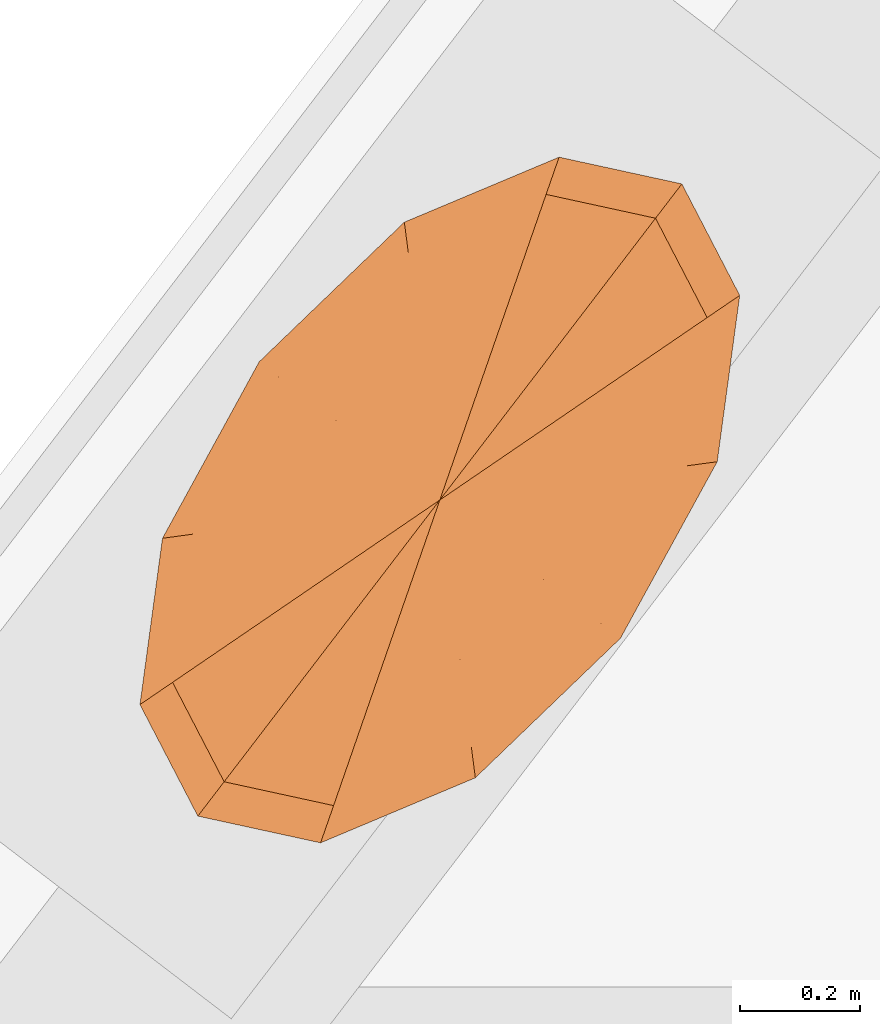
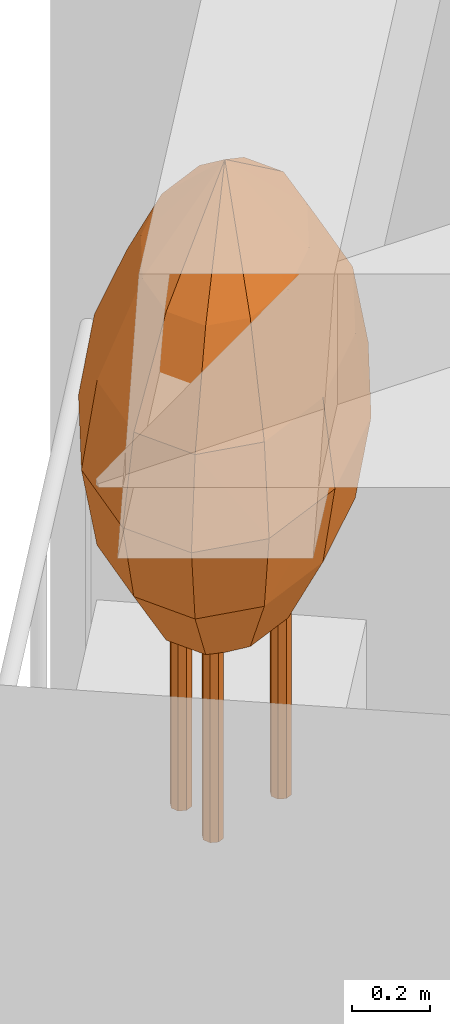
# One storey, part 11 of 11: 1 geographic element.
"""IFC4 building model written with IfcOpenShell, lengths in metres."""

from ifc_helpers import new_model, si_unit, direction, frame, origin, place, context, subcontext, project, spatial, faceted_brep, material, constituent, constituent_set, type_object, element, save


model = new_model("IFC4")

# Units and contexts
model_context = context("Model", 3, precision=1e-05, world=origin(), true_north=direction((0.0, 1.0)))
body_context = subcontext(model_context, "Body", "Model", "MODEL_VIEW")
ifc_project = project(units=[si_unit("LENGTHUNIT", "METRE"), si_unit("AREAUNIT", "SQUARE_METRE"), si_unit("VOLUMEUNIT", "CUBIC_METRE"), si_unit("PLANEANGLEUNIT", "RADIAN"), si_unit("MASSUNIT", "GRAM", prefix="KILO")], contexts=[model_context])

# Site, building, storey
site_placement = place(None, origin())
site = spatial("IfcSite", under=ifc_project, at=site_placement, CompositionType="ELEMENT")
building_placement = place(site_placement, origin())
building = spatial("IfcBuilding", under=site, at=building_placement, Name="Taillehof Tower", CompositionType="ELEMENT")
storey_placement = place(building_placement, frame((0.0, 0.0, 158.300048828125)))
storey = spatial("IfcBuildingStorey", under=building, at=storey_placement, Name="L44", CompositionType="ELEMENT", Elevation=158.300048828125)

# Geographic element
ifc_material_1 = material(Name="Tree bark", Category="timber")
ifc_constituent_1 = constituent(ifc_material_1, Name="Trunk", Category="timber")
ifc_material_2 = material(Name="Tree foliage")
ifc_constituent_2 = constituent(ifc_material_2, Name="Crown")
ifc_constituent_set = constituent_set(constituents=[ifc_constituent_1, ifc_constituent_2], Name="Tree TR3 Multi-stem serviceberry")
geographic_element_type = type_object("IfcGeographicElementType", Name="Tree TR3 Multi-stem serviceberry", PredefinedType="USERDEFINED", material=ifc_constituent_set)
geographic_element_placement = place(storey_placement, frame((-19.1455078125, 12.438720703125, 0.75)))
element("IfcGeographicElement", 1, at=geographic_element_placement, inside=storey, type_object=geographic_element_type, Name="Tree TR3 Multi-stem serviceberry", ObjectType="TREE", PredefinedType="USERDEFINED", context=body_context, shape_type="Brep", body=[
    faceted_brep([(0.195068359375, 0.0, 0.0), (0.186767578125, 0.0205078125, 0.0), (0.186767578125, 0.0205078125, 1.04248046875), (0.195068359375, 0.0, 1.04248046875), (0.166259765625, 0.02880859375, 0.0), (0.166259765625, 0.02880859375, 1.04248046875), (0.145751953125, 0.0205078125, 0.0), (0.145751953125, 0.0205078125, 1.04248046875), (0.137451171875, 0.0, 0.0), (0.137451171875, 0.0, 1.04248046875), (0.145751953125, -0.0205078125, 0.0), (0.145751953125, -0.0205078125, 1.04248046875), (0.166259765625, -0.02880859375, 0.0), (0.166259765625, -0.02880859375, 1.04248046875), (0.186767578125, -0.0205078125, 0.0), (0.186767578125, -0.0205078125, 1.04248046875)], [[[0, 1, 2, 3]], [[1, 4, 5, 2]], [[4, 6, 7, 5]], [[6, 8, 9, 7]], [[8, 10, 11, 9]], [[10, 12, 13, 11]], [[12, 14, 15, 13]], [[14, 0, 3, 15]], [[14, 12, 10, 8, 6, 4, 1, 0]], [[3, 2, 5, 7, 9, 11, 13, 15]]]),
    faceted_brep([(-0.05419921875, 0.082275390625, 0.0), (-0.062744140625, 0.102783203125, 0.0), (-0.062744140625, 0.102783203125, 1.04248046875), (-0.05419921875, 0.082275390625, 1.04248046875), (-0.0830078125, 0.111083984375, 0.0), (-0.0830078125, 0.111083984375, 1.04248046875), (-0.103515625, 0.102783203125, 0.0), (-0.103515625, 0.102783203125, 1.04248046875), (-0.112060546875, 0.082275390625, 0.0), (-0.112060546875, 0.082275390625, 1.04248046875), (-0.103515625, 0.061767578125, 0.0), (-0.103515625, 0.061767578125, 1.04248046875), (-0.0830078125, 0.053466796875, 0.0), (-0.0830078125, 0.053466796875, 1.04248046875), (-0.062744140625, 0.061767578125, 0.0), (-0.062744140625, 0.061767578125, 1.04248046875)], [[[0, 1, 2, 3]], [[1, 4, 5, 2]], [[4, 6, 7, 5]], [[6, 8, 9, 7]], [[8, 10, 11, 9]], [[10, 12, 13, 11]], [[12, 14, 15, 13]], [[14, 0, 3, 15]], [[14, 12, 10, 8, 6, 4, 1, 0]], [[3, 2, 5, 7, 9, 11, 13, 15]]]),
    faceted_brep([(-0.05419921875, -0.082275390625, 0.0), (-0.062744140625, -0.061767578125, 0.0), (-0.062744140625, -0.061767578125, 1.04248046875), (-0.05419921875, -0.082275390625, 1.04248046875), (-0.0830078125, -0.053466796875, 0.0), (-0.0830078125, -0.053466796875, 1.04248046875), (-0.103515625, -0.061767578125, 0.0), (-0.103515625, -0.061767578125, 1.04248046875), (-0.112060546875, -0.082275390625, 0.0), (-0.112060546875, -0.082275390625, 1.04248046875), (-0.103515625, -0.102783203125, 0.0), (-0.103515625, -0.102783203125, 1.04248046875), (-0.0830078125, -0.111083984375, 0.0), (-0.0830078125, -0.111083984375, 1.04248046875), (-0.062744140625, -0.102783203125, 0.0), (-0.062744140625, -0.102783203125, 1.04248046875)], [[[0, 1, 2, 3]], [[1, 4, 5, 2]], [[4, 6, 7, 5]], [[6, 8, 9, 7]], [[8, 10, 11, 9]], [[10, 12, 13, 11]], [[12, 14, 15, 13]], [[14, 0, 3, 15]], [[14, 12, 10, 8, 6, 4, 1, 0]], [[3, 2, 5, 7, 9, 11, 13, 15]]]),
    faceted_brep([(0.0, 0.0, 0.5), (-0.114501953125, -0.3291015625, 0.75830078125), (-0.232177734375, -0.30322265625, 0.75830078125), (0.033935546875, -0.2666015625, 0.75830078125), (0.17333984375, -0.132568359375, 0.75830078125), (0.26611328125, 0.036865234375, 0.75830078125), (0.28759765625, 0.1962890625, 0.75830078125), (0.232177734375, 0.30322265625, 0.75830078125), (0.114501953125, 0.3291015625, 0.75830078125), (-0.033935546875, 0.2666015625, 0.75830078125), (-0.17333984375, 0.132568359375, 0.75830078125), (-0.26611328125, -0.036865234375, 0.75830078125), (-0.28759765625, -0.1962890625, 0.75830078125), (-0.177490234375, -0.510498046875, 1.0166015625), (-0.3603515625, -0.470703125, 1.0166015625), (0.052734375, -0.41357421875, 1.0166015625), (0.26904296875, -0.205810546875, 1.0166015625), (0.4130859375, 0.05712890625, 1.0166015625), (0.446533203125, 0.3046875, 1.0166015625), (0.3603515625, 0.470703125, 1.0166015625), (0.177490234375, 0.510498046875, 1.0166015625), (-0.052734375, 0.41357421875, 1.0166015625), (-0.26904296875, 0.205810546875, 1.0166015625), (-0.4130859375, -0.05712890625, 1.0166015625), (-0.446533203125, -0.3046875, 1.0166015625), (-0.19921875, -0.57275390625, 1.27490234375), (-0.404296875, -0.528076171875, 1.27490234375), (0.059326171875, -0.464111328125, 1.27490234375), (0.3017578125, -0.23095703125, 1.27490234375), (0.46337890625, 0.06396484375, 1.27490234375), (0.5009765625, 0.341796875, 1.27490234375), (0.404296875, 0.528076171875, 1.27490234375), (0.19921875, 0.57275390625, 1.27490234375), (-0.059326171875, 0.464111328125, 1.27490234375), (-0.3017578125, 0.23095703125, 1.27490234375), (-0.46337890625, -0.06396484375, 1.27490234375), (-0.5009765625, -0.341796875, 1.27490234375), (-0.177490234375, -0.510498046875, 1.533447265625), (-0.3603515625, -0.470703125, 1.533447265625), (0.052734375, -0.41357421875, 1.533447265625), (0.26904296875, -0.205810546875, 1.533447265625), (0.4130859375, 0.05712890625, 1.533447265625), (0.446533203125, 0.3046875, 1.533447265625), (0.3603515625, 0.470703125, 1.533447265625), (0.177490234375, 0.510498046875, 1.533447265625), (-0.052734375, 0.41357421875, 1.533447265625), (-0.26904296875, 0.205810546875, 1.533447265625), (-0.4130859375, -0.05712890625, 1.533447265625), (-0.446533203125, -0.3046875, 1.533447265625), (-0.114501953125, -0.3291015625, 1.791748046875), (-0.232177734375, -0.30322265625, 1.791748046875), (0.033935546875, -0.2666015625, 1.791748046875), (0.17333984375, -0.132568359375, 1.791748046875), (0.26611328125, 0.036865234375, 1.791748046875), (0.28759765625, 0.1962890625, 1.791748046875), (0.232177734375, 0.30322265625, 1.791748046875), (0.114501953125, 0.3291015625, 1.791748046875), (-0.033935546875, 0.2666015625, 1.791748046875), (-0.17333984375, 0.132568359375, 1.791748046875), (-0.26611328125, -0.036865234375, 1.791748046875), (-0.28759765625, -0.1962890625, 1.791748046875), (0.0, 0.0, 2.050048828125)], [[[0, 1, 2]], [[0, 3, 1]], [[0, 4, 3]], [[0, 5, 4]], [[0, 6, 5]], [[0, 7, 6]], [[0, 8, 7]], [[0, 9, 8]], [[0, 10, 9]], [[0, 11, 10]], [[0, 12, 11]], [[0, 2, 12]], [[2, 1, 13, 14]], [[1, 3, 15, 13]], [[3, 4, 16, 15]], [[4, 5, 17, 16]], [[5, 6, 18, 17]], [[6, 7, 19, 18]], [[7, 8, 20, 19]], [[8, 9, 21, 20]], [[9, 10, 22, 21]], [[10, 11, 23, 22]], [[11, 12, 24, 23]], [[12, 2, 14, 24]], [[14, 13, 25, 26]], [[13, 15, 27, 25]], [[15, 16, 28, 27]], [[16, 17, 29, 28]], [[17, 18, 30, 29]], [[18, 19, 31, 30]], [[19, 20, 32, 31]], [[20, 21, 33, 32]], [[21, 22, 34, 33]], [[22, 23, 35, 34]], [[23, 24, 36, 35]], [[24, 14, 26, 36]], [[26, 25, 37, 38]], [[25, 27, 39, 37]], [[27, 28, 40, 39]], [[28, 29, 41, 40]], [[29, 30, 42, 41]], [[30, 31, 43, 42]], [[31, 32, 44, 43]], [[32, 33, 45, 44]], [[33, 34, 46, 45]], [[34, 35, 47, 46]], [[35, 36, 48, 47]], [[36, 26, 38, 48]], [[38, 37, 49, 50]], [[37, 39, 51, 49]], [[39, 40, 52, 51]], [[40, 41, 53, 52]], [[41, 42, 54, 53]], [[42, 43, 55, 54]], [[43, 44, 56, 55]], [[44, 45, 57, 56]], [[45, 46, 58, 57]], [[46, 47, 59, 58]], [[47, 48, 60, 59]], [[48, 38, 50, 60]], [[50, 49, 61]], [[49, 51, 61]], [[51, 52, 61]], [[52, 53, 61]], [[53, 54, 61]], [[54, 55, 61]], [[55, 56, 61]], [[56, 57, 61]], [[57, 58, 61]], [[58, 59, 61]], [[59, 60, 61]], [[60, 50, 61]]]),
])

save(model, "model.ifc")
